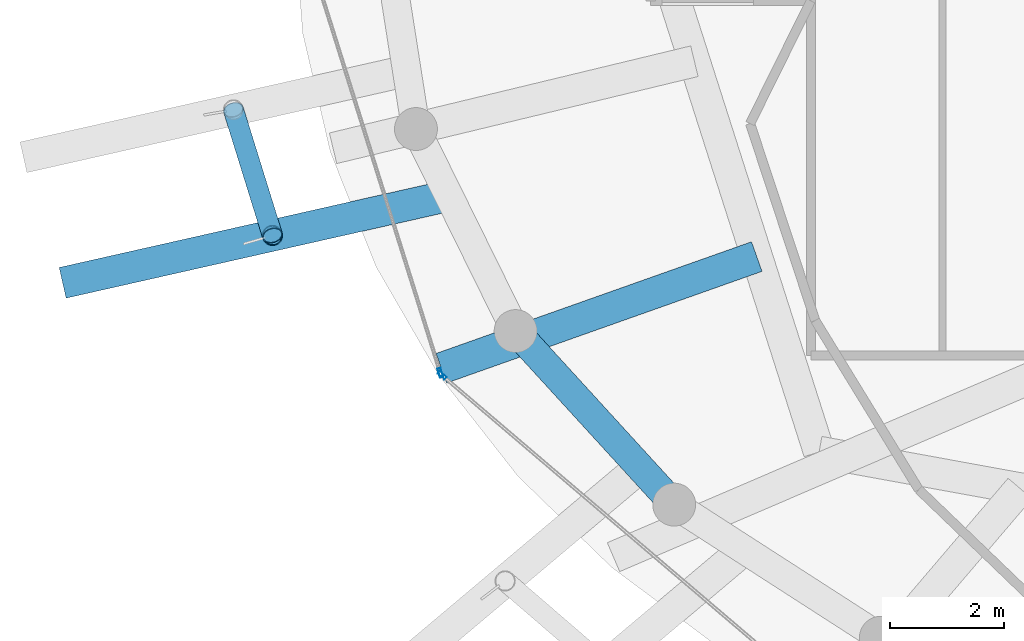
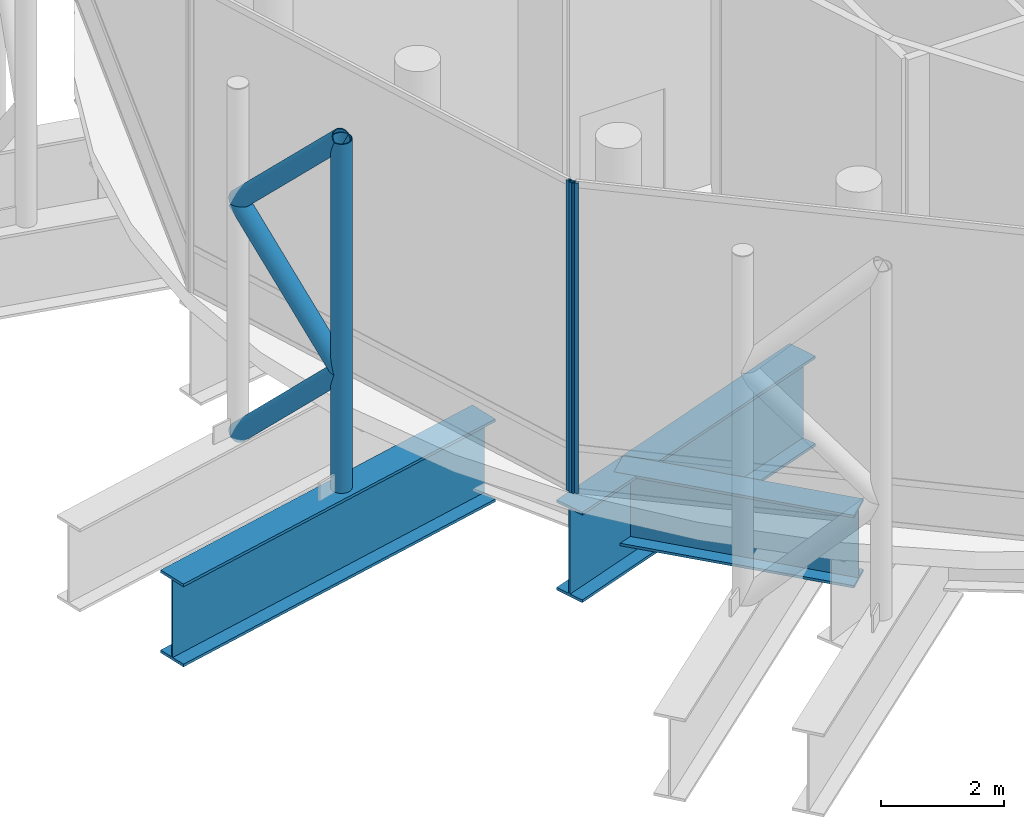
# One storey, part 4 of 26: 6 members, 3 beams, 2 elements without a shape of their own.
"""IFC4 building model written with IfcOpenShell, lengths in metres."""

from ifc_helpers import new_model, si_unit, direction, frame, origin, origin_2d, place, context, subcontext, project, spatial, hollow_rectangle, hollow_circle, i_section, extrude, material, layer, layer_set, material_profile, profile_set, type_object, element, aggregate, save


model = new_model("IFC4")

# Units and contexts
model_context = context("Model", 3, precision=1e-05, world=origin(), true_north=direction((0.0, 1.0)))
body_context = subcontext(model_context, "Body", "Model", "MODEL_VIEW")
ifc_project = project(units=[si_unit("LENGTHUNIT", "METRE"), si_unit("AREAUNIT", "SQUARE_METRE"), si_unit("VOLUMEUNIT", "CUBIC_METRE"), si_unit("PLANEANGLEUNIT", "RADIAN"), si_unit("MASSUNIT", "GRAM", prefix="KILO")], contexts=[model_context])

# Site, building, storey
site_placement = place(None, origin())
site = spatial("IfcSite", under=ifc_project, at=site_placement, CompositionType="ELEMENT")
building_placement = place(site_placement, origin())
building = spatial("IfcBuilding", under=site, at=building_placement, Name="Nuhasar Tower", CompositionType="ELEMENT")
storey_placement = place(building_placement, frame((0.0, 0.0, 306.800048828125)))
storey = spatial("IfcBuildingStorey", under=building, at=storey_placement, Name="L76", CompositionType="ELEMENT", Elevation=306.800048828125)

# Beams
ifc_material_1 = material(Name="Steel S460", Category="steel")
ifc_material_profile_1 = material_profile(ifc_material_1, i_section(OverallWidth=0.5, OverallDepth=1.449951171875, WebThickness=0.028076171875, FlangeThickness=0.050048828125, at=origin_2d()), Name="PG1450X500")
ifc_profile_set_1 = profile_set([ifc_material_profile_1], Name="Steel S460")
beam_type_1 = type_object("IfcBeamType", Name="BM-XFER-PG1450", PredefinedType="USERDEFINED", material=ifc_profile_set_1)
beam_1_placement = place(storey_placement, frame((23.887939453125, 19.47509765625, -1.074951171875), z_axis=(0.674615744009, -0.738169084922, 0.0), x_axis=(0.738169084922, 0.674615744009, 0.0)))
element("IfcBeam", 1, at=beam_1_placement, inside=storey, type_object=beam_type_1, Name="L76 Perimeter Ring Spandrel 15", ObjectType="GIRDER", PredefinedType="USERDEFINED", context=body_context, shape_type="SweptSolid", body=[
    extrude(i_section(OverallWidth=0.5, OverallDepth=1.449951171875, WebThickness=0.028076171875, FlangeThickness=0.050048828125, at=origin_2d()), origin(), (0.0, 0.0, 1.0), 4.1103515625),
])
ifc_material_profile_2 = material_profile(ifc_material_1, i_section(OverallWidth=0.550048828125, OverallDepth=1.64990234375, WebThickness=0.031982421875, FlangeThickness=0.054931640625, at=origin_2d()), Name="PG1650X550")
ifc_profile_set_2 = profile_set([ifc_material_profile_2], Name="Steel S460")
beam_type_2 = type_object("IfcBeamType", Name="BM-XFER-PG1650", PredefinedType="USERDEFINED", material=ifc_profile_set_2)
beam_2_placement = place(storey_placement, frame((22.719970703125, 21.843017578125, -1.175048828125), z_axis=(-0.975469835371, -0.220133142169, 0.0), x_axis=(0.220133142169, -0.975469835371, 0.0)))
element("IfcBeam", 2, at=beam_2_placement, inside=storey, type_object=beam_type_2, Name="L76 Exoskeleton Step Transfer Girder 14", ObjectType="GIRDER", PredefinedType="USERDEFINED", context=body_context, shape_type="SweptSolid", body=[
    extrude(i_section(OverallWidth=0.550048828125, OverallDepth=1.64990234375, WebThickness=0.031982421875, FlangeThickness=0.054931640625, at=origin_2d()), origin(), (0.0, 0.0, 1.0), 6.9228515625),
])
ifc_material_profile_3 = material_profile(ifc_material_1, i_section(OverallWidth=0.550048828125, OverallDepth=1.800048828125, WebThickness=0.031982421875, FlangeThickness=0.054931640625, at=origin_2d()), Name="PG1800X550")
ifc_profile_set_3 = profile_set([ifc_material_profile_3], Name="Steel S460")
beam_type_3 = type_object("IfcBeamType", Name="BM-XFER-PG1800", PredefinedType="USERDEFINED", material=ifc_profile_set_3)
beam_3_placement = place(storey_placement, frame((28.10498046875, 20.778076171875, -1.25), z_axis=(-0.942649379919, -0.333784581036, 0.0), x_axis=(0.333784581036, -0.942649379919, 0.0)))
element("IfcBeam", 3, at=beam_3_placement, inside=storey, type_object=beam_type_3, Name="L76 Inner Column Transfer Girder 15", ObjectType="GIRDER", PredefinedType="USERDEFINED", context=body_context, shape_type="SweptSolid", body=[
    extrude(i_section(OverallWidth=0.550048828125, OverallDepth=1.800048828125, WebThickness=0.031982421875, FlangeThickness=0.054931640625, at=origin_2d()), origin(), (0.0, 0.0, 1.0), 5.8515625),
])

# Curtain wall, member
ifc_material_2 = material(Name="Aluminium 6063-T6", Category="aluminium")
ifc_layer = layer(ifc_material_2, 0.239990234375)
ifc_layer_set = layer_set([ifc_layer], Name="Aluminium 6063-T6")
curtain_wall_type = type_object("IfcCurtainWallType", Name="CW-SKY-LBY", PredefinedType="NOTDEFINED", material=ifc_layer_set)
curtain_wall_1_placement = place(storey_placement, origin())
curtain_wall_1 = element("IfcCurtainWall", 4, at=curtain_wall_1_placement, inside=storey, type_object=curtain_wall_type, Name="L76 Unitised Curtain Wall 07", PredefinedType="NOTDEFINED")
ifc_material_profile_4 = material_profile(ifc_material_2, hollow_rectangle(XDim=0.06005859375, YDim=0.159912109375, WallThickness=0.0048828125, at=origin_2d()), Name="CWM-6")
ifc_profile_set_4 = profile_set([ifc_material_profile_4], Name="Aluminium 6063-T6")
member_type_1 = type_object("IfcMemberType", Name="CW-MUL-S6", PredefinedType="MULLION", material=ifc_profile_set_4)
member_1_placement = place(storey_placement, frame((22.571044921875, 18.74853515625, 0.0), z_axis=(0.0, 0.0, 1.0), x_axis=(0.953974417341, 0.299887997525, 0.0)))
member_1 = element("IfcMember", 5, at=member_1_placement, type_object=member_type_1, Name="CW-SL mullion 2", PredefinedType="MULLION", context=body_context, shape_type="SweptSolid", body=[
    extrude(hollow_rectangle(XDim=0.06005859375, YDim=0.159912109375, WallThickness=0.0048828125, at=origin_2d()), origin(), (0.0, 0.0, 1.0), 6.179931640625),
])
aggregate(curtain_wall_1, [member_1])

curtain_wall_2_placement = place(storey_placement, origin())
curtain_wall_2 = element("IfcCurtainWall", 6, at=curtain_wall_2_placement, inside=storey, type_object=curtain_wall_type, Name="L76 Unitised Curtain Wall 08", PredefinedType="NOTDEFINED")
member_2_placement = place(storey_placement, frame((22.602783203125, 18.700439453125, 0.0), z_axis=(0.0, 0.0, 1.0), x_axis=(0.648666497118, 0.761072779382, 0.0)))
member_2 = element("IfcMember", 7, at=member_2_placement, type_object=member_type_1, Name="CW-SL mullion 1", PredefinedType="MULLION", context=body_context, shape_type="SweptSolid", body=[
    extrude(hollow_rectangle(XDim=0.06005859375, YDim=0.159912109375, WallThickness=0.0048828125, at=origin_2d()), origin(), (0.0, 0.0, 1.0), 6.179931640625),
])
aggregate(curtain_wall_2, [member_2])

# Members
ifc_material_profile_5 = material_profile(ifc_material_1, hollow_circle(Radius=0.177734375, WallThickness=0.015869140625, at=origin_2d()), Name="HSS355.6X15.9")
ifc_profile_set_5 = profile_set([ifc_material_profile_5], Name="Steel S460")
member_type_2 = type_object("IfcMemberType", Name="EXO-BRONZE-356", PredefinedType="BRACE", material=ifc_profile_set_5)
member_3_placement = place(storey_placement, frame((19.635986328125, 21.14697265625, -0.35009765625), z_axis=(0.0, 0.0, 1.0), x_axis=(1.0, 0.0, 0.0)))
element("IfcMember", 8, at=member_3_placement, inside=storey, type_object=member_type_2, Name="L76 Exoskeleton Chord Column EC-07B", PredefinedType="BRACE", context=body_context, shape_type="SweptSolid", body=[
    extrude(hollow_circle(Radius=0.177734375, WallThickness=0.015869140625, at=origin_2d()), origin(), (0.0, 0.0, 1.0), 6.949951171875),
])
member_4_placement = place(storey_placement, frame((18.9541015625, 23.343017578125, -0.35009765625), z_axis=(0.20888121172, -0.672712674337, 0.709807225362), x_axis=(0.955020598138, 0.296539469772, 0.0)))
element("IfcMember", 9, at=member_4_placement, inside=storey, type_object=member_type_2, Name="L76 Bronze Diagrid Brace W1-07", PredefinedType="BRACE", context=body_context, shape_type="SweptSolid", body=[
    extrude(hollow_circle(Radius=0.177734375, WallThickness=0.015869140625, at=origin_2d()), origin(), (0.0, 0.0, 1.0), 3.264404296875),
])
member_5_placement = place(storey_placement, frame((19.635986328125, 21.14697265625, 1.967041015625), z_axis=(-0.208936661105, 0.67289125193, 0.709621613765), x_axis=(-0.955020598138, -0.296539469772, 0.0)))
element("IfcMember", 10, at=member_5_placement, inside=storey, type_object=member_type_2, Name="L76 Bronze Diagrid Brace W2-07", PredefinedType="BRACE", context=body_context, shape_type="SweptSolid", body=[
    extrude(hollow_circle(Radius=0.177734375, WallThickness=0.015869140625, at=origin_2d()), origin(), (0.0, 0.0, 1.0), 3.263671875),
])
member_6_placement = place(storey_placement, frame((18.9541015625, 23.343017578125, 4.282958984375), z_axis=(0.208892300402, -0.672748386008, 0.709770114866), x_axis=(0.955020598138, 0.296539469772, 0.0)))
element("IfcMember", 11, at=member_6_placement, inside=storey, type_object=member_type_2, Name="L76 Bronze Diagrid Brace W3-07", PredefinedType="BRACE", context=body_context, shape_type="SweptSolid", body=[
    extrude(hollow_circle(Radius=0.177734375, WallThickness=0.015869140625, at=origin_2d()), origin(), (0.0, 0.0, 1.0), 3.264404296875),
])

save(model, "model.ifc")
